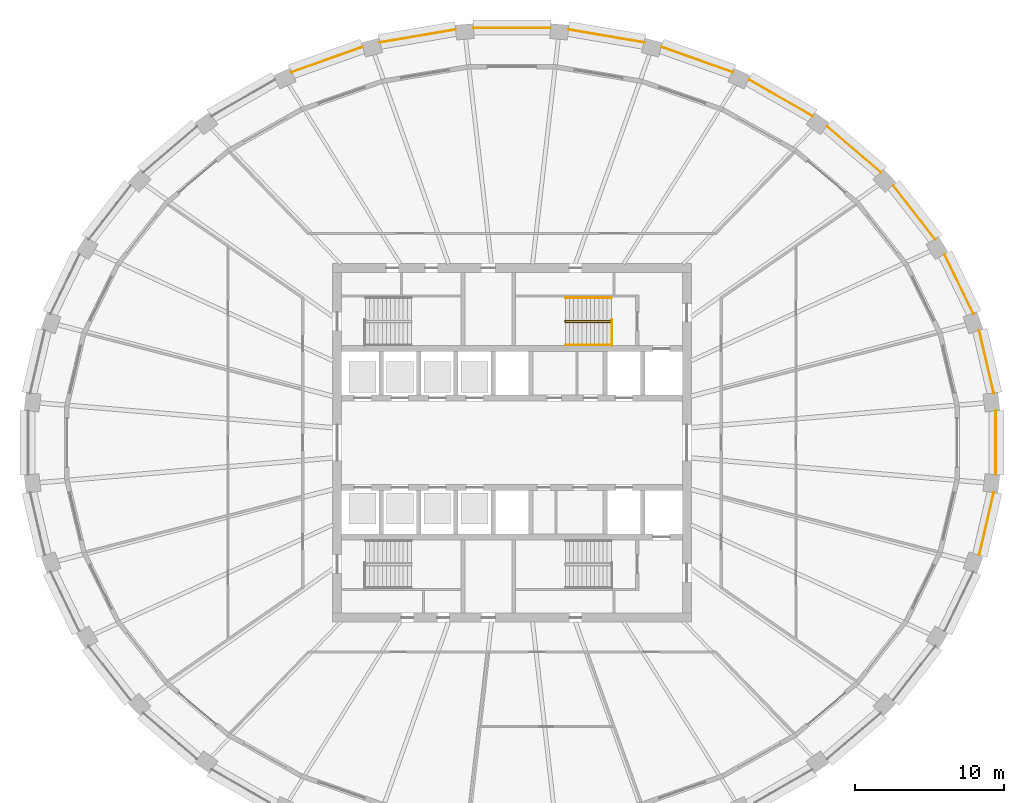
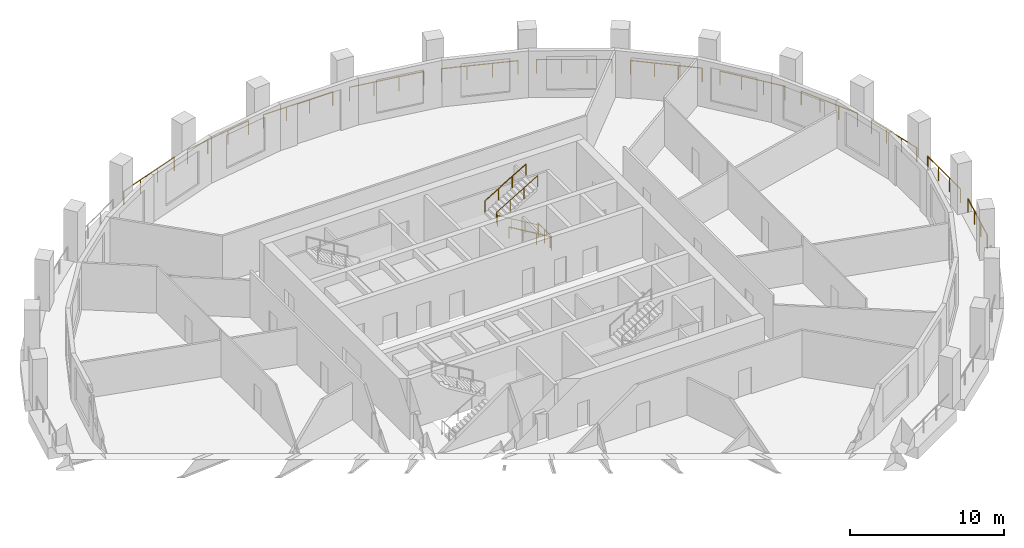
# One storey, part 9 of 10: 16 railings.
"""IFC4 building model written with IfcOpenShell, lengths in metres."""

from ifc_helpers import new_model, si_unit, direction, frame, origin, origin_2d, place, context, subcontext, project, spatial, circle, extrude, material, type_object, element, save


model = new_model("IFC4")

# Units and contexts
model_context = context("Model", 3, precision=1e-05, world=origin(), true_north=direction((0.0, 1.0)))
body_context = subcontext(model_context, "Body", "Model", "MODEL_VIEW")
ifc_project = project(units=[si_unit("LENGTHUNIT", "METRE"), si_unit("AREAUNIT", "SQUARE_METRE"), si_unit("VOLUMEUNIT", "CUBIC_METRE"), si_unit("PLANEANGLEUNIT", "RADIAN"), si_unit("MASSUNIT", "GRAM", prefix="KILO")], contexts=[model_context])

# Site, building, storey
site_placement = place(None, origin())
site = spatial("IfcSite", under=ifc_project, at=site_placement, CompositionType="ELEMENT")
building_placement = place(site_placement, origin())
building = spatial("IfcBuilding", under=site, at=building_placement, Name="Halqa Exchange Tower", CompositionType="ELEMENT")
storey_placement = place(building_placement, frame((0.0, 0.0, 198.89990234375)))
storey = spatial("IfcBuildingStorey", under=building, at=storey_placement, Name="L45", CompositionType="ELEMENT", Elevation=198.89990234375)

# Railings
ifc_material = material(Name="Stainless steel", Category="steel")
railing_type_1 = type_object("IfcRailingType", Name="Guard 1100 stainless steel", PredefinedType="GUARDRAIL", material=ifc_material)
railing_1_placement = place(storey_placement, frame((32.239501953125, 3.317626953125, 0.0)))
element("IfcRailing", 1, at=railing_1_placement, inside=storey, type_object=railing_type_1, Name="Loggia guard 1", PredefinedType="GUARDRAIL", context=body_context, shape_type="SweptSolid", body=[
    extrude(circle(Radius=0.02392578125, at=origin_2d()), frame((0.0, 0.0, 1.076171875), z_axis=(-0.226056656747, 0.974114155497, 0.0), x_axis=(-0.974114155497, -0.226056656747, 0.0)), (0.0, 0.0, 1.0), 4.3037109375),
    extrude(circle(Radius=0.02099609375, at=origin_2d()), origin(), (0.0, 0.0, 1.0), 1.052001953125),
    extrude(circle(Radius=0.02099609375, at=origin_2d()), frame((-0.32421875, 1.3974609375, 0.0)), (0.0, 0.0, 1.0), 1.052001953125),
    extrude(circle(Radius=0.02099609375, at=origin_2d()), frame((-0.648681640625, 2.794921875, 0.0)), (0.0, 0.0, 1.0), 1.052001953125),
    extrude(circle(Radius=0.02099609375, at=origin_2d()), frame((-0.972900390625, 4.1923828125, 0.0)), (0.0, 0.0, 1.0), 1.052001953125),
])
railing_2_placement = place(storey_placement, frame((30.8701171875, 8.634521484375, 0.0)))
element("IfcRailing", 2, at=railing_2_placement, inside=storey, type_object=railing_type_1, Name="Loggia guard 2", PredefinedType="GUARDRAIL", context=body_context, shape_type="SweptSolid", body=[
    extrude(circle(Radius=0.02392578125, at=origin_2d()), frame((0.0, 0.0, 1.076171875), z_axis=(-0.43510207999, 0.900381130404, 0.0), x_axis=(-0.900381130404, -0.43510207999, 0.0)), (0.0, 0.0, 1.0), 4.4091796875),
    extrude(circle(Radius=0.02099609375, at=origin_2d()), origin(), (0.0, 0.0, 1.0), 1.052001953125),
    extrude(circle(Radius=0.02099609375, at=origin_2d()), frame((-0.639404296875, 1.3232421875, 0.0)), (0.0, 0.0, 1.0), 1.052001953125),
    extrude(circle(Radius=0.02099609375, at=origin_2d()), frame((-1.279052734375, 2.646728515625, 0.0)), (0.0, 0.0, 1.0), 1.052001953125),
    extrude(circle(Radius=0.02099609375, at=origin_2d()), frame((-1.91845703125, 3.969970703125, 0.0)), (0.0, 0.0, 1.0), 1.052001953125),
])
railing_3_placement = place(storey_placement, frame((28.321533203125, 13.617919921875, 0.0)))
element("IfcRailing", 3, at=railing_3_placement, inside=storey, type_object=railing_type_1, Name="Loggia guard 3", PredefinedType="GUARDRAIL", context=body_context, shape_type="SweptSolid", body=[
    extrude(circle(Radius=0.02392578125, at=origin_2d()), frame((0.0, 0.0, 1.076171875), z_axis=(-0.614792247558, 0.78868909739, 0.0), x_axis=(-0.78868909739, -0.614792247558, 0.0)), (0.0, 0.0, 1.0), 4.562744140625),
    extrude(circle(Radius=0.02099609375, at=origin_2d()), origin(), (0.0, 0.0, 1.0), 1.052001953125),
    extrude(circle(Radius=0.02099609375, at=origin_2d()), frame((-0.93505859375, 1.199462890625, 0.0)), (0.0, 0.0, 1.0), 1.052001953125),
    extrude(circle(Radius=0.02099609375, at=origin_2d()), frame((-1.8701171875, 2.399169921875, 0.0)), (0.0, 0.0, 1.0), 1.052001953125),
    extrude(circle(Radius=0.02099609375, at=origin_2d()), frame((-2.80517578125, 3.5986328125, 0.0)), (0.0, 0.0, 1.0), 1.052001953125),
])
railing_4_placement = place(storey_placement, frame((24.69189453125, 18.080078125, 0.0)))
element("IfcRailing", 4, at=railing_4_placement, inside=storey, type_object=railing_type_1, Name="Loggia guard 4", PredefinedType="GUARDRAIL", context=body_context, shape_type="SweptSolid", body=[
    extrude(circle(Radius=0.02392578125, at=origin_2d()), frame((0.0, 0.0, 1.076171875), z_axis=(-0.759242057483, 0.650808342102, 0.0), x_axis=(-0.650808342102, -0.759242057483, 0.0)), (0.0, 0.0, 1.0), 4.739501953125),
    extrude(circle(Radius=0.02099609375, at=origin_2d()), origin(), (0.0, 0.0, 1.0), 1.052001953125),
    extrude(circle(Radius=0.02099609375, at=origin_2d()), frame((-1.199462890625, 1.028076171875, 0.0)), (0.0, 0.0, 1.0), 1.052001953125),
    extrude(circle(Radius=0.02099609375, at=origin_2d()), frame((-2.39892578125, 2.056396484375, 0.0)), (0.0, 0.0, 1.0), 1.052001953125),
    extrude(circle(Radius=0.02099609375, at=origin_2d()), frame((-3.598388671875, 3.08447265625, 0.0)), (0.0, 0.0, 1.0), 1.052001953125),
])
railing_5_placement = place(storey_placement, frame((20.1171875, 21.853271484375, 0.0)))
element("IfcRailing", 5, at=railing_5_placement, inside=storey, type_object=railing_type_1, Name="Loggia guard 5", PredefinedType="GUARDRAIL", context=body_context, shape_type="SweptSolid", body=[
    extrude(circle(Radius=0.02392578125, at=origin_2d()), frame((0.0, 0.0, 1.076171875), z_axis=(-0.867753174329, 0.496995400825, 0.0), x_axis=(-0.496995400825, -0.867753174329, 0.0)), (0.0, 0.0, 1.0), 4.910400390625),
    extrude(circle(Radius=0.02099609375, at=origin_2d()), origin(), (0.0, 0.0, 1.0), 1.052001953125),
    extrude(circle(Radius=0.02099609375, at=origin_2d()), frame((-1.42041015625, 0.8134765625, 0.0)), (0.0, 0.0, 1.0), 1.052001953125),
    extrude(circle(Radius=0.02099609375, at=origin_2d()), frame((-2.840576171875, 1.626953125, 0.0)), (0.0, 0.0, 1.0), 1.052001953125),
    extrude(circle(Radius=0.02099609375, at=origin_2d()), frame((-4.260986328125, 2.4404296875, 0.0)), (0.0, 0.0, 1.0), 1.052001953125),
])
railing_6_placement = place(storey_placement, frame((14.77001953125, 24.792724609375, 0.0)))
element("IfcRailing", 6, at=railing_6_placement, inside=storey, type_object=railing_type_1, Name="Loggia guard 6", PredefinedType="GUARDRAIL", context=body_context, shape_type="SweptSolid", body=[
    extrude(circle(Radius=0.02392578125, at=origin_2d()), frame((0.0, 0.0, 1.076171875), z_axis=(-0.942362387643, 0.334593978362, 0.0), x_axis=(-0.334593978362, -0.942362387643, 0.0)), (0.0, 0.0, 1.0), 5.05224609375),
    extrude(circle(Radius=0.02099609375, at=origin_2d()), origin(), (0.0, 0.0, 1.0), 1.052001953125),
    extrude(circle(Radius=0.02099609375, at=origin_2d()), frame((-1.5869140625, 0.5634765625, 0.0)), (0.0, 0.0, 1.0), 1.052001953125),
    extrude(circle(Radius=0.02099609375, at=origin_2d()), frame((-3.174072265625, 1.126953125, 0.0)), (0.0, 0.0, 1.0), 1.052001953125),
    extrude(circle(Radius=0.02099609375, at=origin_2d()), frame((-4.760986328125, 1.6904296875, 0.0)), (0.0, 0.0, 1.0), 1.052001953125),
])
railing_7_placement = place(storey_placement, frame((8.85205078125, 26.78466796875, 0.0)))
element("IfcRailing", 7, at=railing_7_placement, inside=storey, type_object=railing_type_1, Name="Loggia guard 7", PredefinedType="GUARDRAIL", context=body_context, shape_type="SweptSolid", body=[
    extrude(circle(Radius=0.02392578125, at=origin_2d()), frame((0.0, 0.0, 1.076171875), z_axis=(-0.985774033556, 0.168076038647, 0.0), x_axis=(-0.168076038647, -0.985774033556, 0.0)), (0.0, 0.0, 1.0), 5.14501953125),
    extrude(circle(Radius=0.02099609375, at=origin_2d()), origin(), (0.0, 0.0, 1.0), 1.052001953125),
    extrude(circle(Radius=0.02099609375, at=origin_2d()), frame((-1.690673828125, 0.288330078125, 0.0)), (0.0, 0.0, 1.0), 1.052001953125),
    extrude(circle(Radius=0.02099609375, at=origin_2d()), frame((-3.381103515625, 0.576416015625, 0.0)), (0.0, 0.0, 1.0), 1.052001953125),
    extrude(circle(Radius=0.02099609375, at=origin_2d()), frame((-5.07177734375, 0.86474609375, 0.0)), (0.0, 0.0, 1.0), 1.052001953125),
])
railing_8_placement = place(storey_placement, frame((2.588623046875, 27.750244140625, 0.0)))
element("IfcRailing", 8, at=railing_8_placement, inside=storey, type_object=railing_type_1, Name="Loggia guard 8", PredefinedType="GUARDRAIL", context=body_context, shape_type="SweptSolid", body=[
    extrude(circle(Radius=0.02392578125, at=origin_2d()), frame((0.0, 0.0, 1.076171875), z_axis=(-1.0, 0.0, 0.0), x_axis=(0.0, -1.0, 0.0)), (0.0, 0.0, 1.0), 5.17724609375),
    extrude(circle(Radius=0.02099609375, at=origin_2d()), origin(), (0.0, 0.0, 1.0), 1.052001953125),
    extrude(circle(Radius=0.02099609375, at=origin_2d()), frame((-1.725830078125, 0.0, 0.0)), (0.0, 0.0, 1.0), 1.052001953125),
    extrude(circle(Radius=0.02099609375, at=origin_2d()), frame((-3.451416015625, 0.0, 0.0)), (0.0, 0.0, 1.0), 1.052001953125),
    extrude(circle(Radius=0.02099609375, at=origin_2d()), frame((-5.17724609375, 0.0, 0.0)), (0.0, 0.0, 1.0), 1.052001953125),
])
railing_9_placement = place(storey_placement, frame((-3.7802734375, 27.6494140625, 0.0)))
element("IfcRailing", 9, at=railing_9_placement, inside=storey, type_object=railing_type_1, Name="Loggia guard 9", PredefinedType="GUARDRAIL", context=body_context, shape_type="SweptSolid", body=[
    extrude(circle(Radius=0.02392578125, at=origin_2d()), frame((0.0, 0.0, 1.076171875), z_axis=(-0.985774033556, -0.168076038647, 0.0), x_axis=(0.168076038647, -0.985774033556, 0.0)), (0.0, 0.0, 1.0), 5.14501953125),
    extrude(circle(Radius=0.02099609375, at=origin_2d()), origin(), (0.0, 0.0, 1.0), 1.052001953125),
    extrude(circle(Radius=0.02099609375, at=origin_2d()), frame((-1.690673828125, -0.288330078125, 0.0)), (0.0, 0.0, 1.0), 1.052001953125),
    extrude(circle(Radius=0.02099609375, at=origin_2d()), frame((-3.381103515625, -0.576416015625, 0.0)), (0.0, 0.0, 1.0), 1.052001953125),
    extrude(circle(Radius=0.02099609375, at=origin_2d()), frame((-5.07177734375, -0.86474609375, 0.0)), (0.0, 0.0, 1.0), 1.052001953125),
])
railing_10_placement = place(storey_placement, frame((-10.009033203125, 26.483154296875, 0.0)))
element("IfcRailing", 10, at=railing_10_placement, inside=storey, type_object=railing_type_1, Name="Loggia guard 10", PredefinedType="GUARDRAIL", context=body_context, shape_type="SweptSolid", body=[
    extrude(circle(Radius=0.02392578125, at=origin_2d()), frame((0.0, 0.0, 1.076171875), z_axis=(-0.942362387643, -0.334593978362, 0.0), x_axis=(0.334593978362, -0.942362387643, 0.0)), (0.0, 0.0, 1.0), 5.05224609375),
    extrude(circle(Radius=0.02099609375, at=origin_2d()), origin(), (0.0, 0.0, 1.0), 1.052001953125),
    extrude(circle(Radius=0.02099609375, at=origin_2d()), frame((-1.5869140625, -0.5634765625, 0.0)), (0.0, 0.0, 1.0), 1.052001953125),
    extrude(circle(Radius=0.02099609375, at=origin_2d()), frame((-3.174072265625, -1.126953125, 0.0)), (0.0, 0.0, 1.0), 1.052001953125),
    extrude(circle(Radius=0.02099609375, at=origin_2d()), frame((-4.760986328125, -1.6904296875, 0.0)), (0.0, 0.0, 1.0), 1.052001953125),
])
railing_11_placement = place(storey_placement, frame((31.2666015625, -7.510009765625, 0.0)))
element("IfcRailing", 11, at=railing_11_placement, inside=storey, type_object=railing_type_1, Name="Loggia guard 31", PredefinedType="GUARDRAIL", context=body_context, shape_type="SweptSolid", body=[
    extrude(circle(Radius=0.02392578125, at=origin_2d()), frame((0.0, 0.0, 1.076171875), z_axis=(0.226056656747, 0.974114155497, 0.0), x_axis=(-0.974114155497, 0.226056656747, 0.0)), (0.0, 0.0, 1.0), 4.3037109375),
    extrude(circle(Radius=0.02099609375, at=origin_2d()), origin(), (0.0, 0.0, 1.0), 1.052001953125),
    extrude(circle(Radius=0.02099609375, at=origin_2d()), frame((0.32421875, 1.3974609375, 0.0)), (0.0, 0.0, 1.0), 1.052001953125),
    extrude(circle(Radius=0.02099609375, at=origin_2d()), frame((0.648681640625, 2.794921875, 0.0)), (0.0, 0.0, 1.0), 1.052001953125),
    extrude(circle(Radius=0.02099609375, at=origin_2d()), frame((0.972900390625, 4.1923828125, 0.0)), (0.0, 0.0, 1.0), 1.052001953125),
])
railing_12_placement = place(storey_placement, frame((32.375244140625, -2.13330078125, 0.0)))
element("IfcRailing", 12, at=railing_12_placement, inside=storey, type_object=railing_type_1, Name="Loggia guard 32", PredefinedType="GUARDRAIL", context=body_context, shape_type="SweptSolid", body=[
    extrude(circle(Radius=0.02392578125, at=origin_2d()), frame((0.0, 0.0, 1.076171875), z_axis=(0.0, 1.0, 0.0), x_axis=(-1.0, 0.0, 0.0)), (0.0, 0.0, 1.0), 4.2666015625),
    extrude(circle(Radius=0.02099609375, at=origin_2d()), origin(), (0.0, 0.0, 1.0), 1.052001953125),
    extrude(circle(Radius=0.02099609375, at=origin_2d()), frame((0.0, 1.422119140625, 0.0)), (0.0, 0.0, 1.0), 1.052001953125),
    extrude(circle(Radius=0.02099609375, at=origin_2d()), frame((0.0, 2.844482421875, 0.0)), (0.0, 0.0, 1.0), 1.052001953125),
    extrude(circle(Radius=0.02099609375, at=origin_2d()), frame((0.0, 4.2666015625, 0.0)), (0.0, 0.0, 1.0), 1.052001953125),
])
railing_type_2 = type_object("IfcRailingType", Name="Stair handrail 900", PredefinedType="HANDRAIL", material=ifc_material)
railing_13_placement = place(storey_placement, frame((6.64990234375, 8.06005859375, 0.166748046875)))
element("IfcRailing", 13, at=railing_13_placement, inside=storey, type_object=railing_type_2, Name="Handrail ST2.1", PredefinedType="HANDRAIL", context=body_context, shape_type="SweptSolid", body=[
    extrude(circle(Radius=0.02392578125, at=origin_2d()), frame((0.0, 0.0, 0.8759765625), z_axis=(-0.859290745958, 0.0, 0.51148745235), x_axis=(0.0, -1.0, 0.0)), (0.0, 0.0, 1.0), 3.584228515625),
    extrude(circle(Radius=0.02392578125, at=origin_2d()), frame((-3.079833984375, 0.0, 2.708984375), z_axis=(0.0, 0.614500226555, 0.788916644243), x_axis=(-1.0, 0.0, 0.0)), (0.0, 0.0, 1.0), 0.21142578125),
    extrude(circle(Radius=0.02392578125, at=origin_2d()), frame((-3.079833984375, 0.1298828125, 2.8759765625), z_axis=(0.859290745958, 0.0, 0.51148745235), x_axis=(0.0, 1.0, 0.0)), (0.0, 0.0, 1.0), 3.584228515625),
    extrude(circle(Radius=0.02099609375, at=origin_2d()), origin(), (0.0, 0.0, 1.0), 0.851806640625),
    extrude(circle(Radius=0.02099609375, at=origin_2d()), frame((-1.026611328125, 0.0, 0.611083984375)), (0.0, 0.0, 1.0), 0.851806640625),
    extrude(circle(Radius=0.02099609375, at=origin_2d()), frame((-2.05322265625, 0.0, 1.22216796875)), (0.0, 0.0, 1.0), 0.851806640625),
    extrude(circle(Radius=0.02099609375, at=origin_2d()), frame((-3.079833984375, 0.0, 1.833251953125)), (0.0, 0.0, 1.0), 0.851806640625),
    extrude(circle(Radius=0.02099609375, at=origin_2d()), frame((-3.079833984375, 0.1298828125, 2.0)), (0.0, 0.0, 1.0), 0.851806640625),
    extrude(circle(Radius=0.02099609375, at=origin_2d()), frame((-2.05322265625, 0.1298828125, 2.611083984375)), (0.0, 0.0, 1.0), 0.851806640625),
    extrude(circle(Radius=0.02099609375, at=origin_2d()), frame((-1.026611328125, 0.1298828125, 3.22216796875)), (0.0, 0.0, 1.0), 0.851806640625),
    extrude(circle(Radius=0.02099609375, at=origin_2d()), frame((0.0, 0.1298828125, 3.833251953125)), (0.0, 0.0, 1.0), 0.851806640625),
])
railing_14_placement = place(storey_placement, frame((6.64990234375, 6.550048828125, 0.166748046875)))
element("IfcRailing", 14, at=railing_14_placement, inside=storey, type_object=railing_type_2, Name="Handrail ST2.2", PredefinedType="HANDRAIL", context=body_context, shape_type="SweptSolid", body=[
    extrude(circle(Radius=0.02392578125, at=origin_2d()), frame((0.0, 0.0, 0.8759765625), z_axis=(-0.859290745958, 0.0, 0.51148745235), x_axis=(0.0, -1.0, 0.0)), (0.0, 0.0, 1.0), 3.584228515625),
    extrude(circle(Radius=0.02099609375, at=origin_2d()), origin(), (0.0, 0.0, 1.0), 0.851806640625),
    extrude(circle(Radius=0.02099609375, at=origin_2d()), frame((-1.026611328125, 0.0, 0.611083984375)), (0.0, 0.0, 1.0), 0.851806640625),
    extrude(circle(Radius=0.02099609375, at=origin_2d()), frame((-2.05322265625, 0.0, 1.22216796875)), (0.0, 0.0, 1.0), 0.851806640625),
    extrude(circle(Radius=0.02099609375, at=origin_2d()), frame((-3.079833984375, 0.0, 1.833251953125)), (0.0, 0.0, 1.0), 0.851806640625),
])
railing_15_placement = place(storey_placement, frame((3.570068359375, 9.699951171875, 2.166748046875)))
element("IfcRailing", 15, at=railing_15_placement, inside=storey, type_object=railing_type_2, Name="Handrail ST2.3", PredefinedType="HANDRAIL", context=body_context, shape_type="SweptSolid", body=[
    extrude(circle(Radius=0.02392578125, at=origin_2d()), frame((0.0, 0.0, 0.8759765625), z_axis=(0.859290745958, 0.0, 0.51148745235), x_axis=(0.0, 1.0, 0.0)), (0.0, 0.0, 1.0), 3.584228515625),
    extrude(circle(Radius=0.02099609375, at=origin_2d()), origin(), (0.0, 0.0, 1.0), 0.851806640625),
    extrude(circle(Radius=0.02099609375, at=origin_2d()), frame((1.026611328125, 0.0, 0.611083984375)), (0.0, 0.0, 1.0), 0.851806640625),
    extrude(circle(Radius=0.02099609375, at=origin_2d()), frame((2.05322265625, 0.0, 1.22216796875)), (0.0, 0.0, 1.0), 0.851806640625),
    extrude(circle(Radius=0.02099609375, at=origin_2d()), frame((3.079833984375, 0.0, 1.833251953125)), (0.0, 0.0, 1.0), 0.851806640625),
])
railing_type_3 = type_object("IfcRailingType", Name="Stair well guard 1100", PredefinedType="GUARDRAIL", material=ifc_material)
railing_16_placement = place(storey_placement, frame((6.699951171875, 6.5, 0.0)))
element("IfcRailing", 16, at=railing_16_placement, inside=storey, type_object=railing_type_3, Name="Guard ST2 well", PredefinedType="GUARDRAIL", context=body_context, shape_type="SweptSolid", body=[
    extrude(circle(Radius=0.02392578125, at=origin_2d()), frame((0.0, 0.0, 1.076171875), z_axis=(0.0, 1.0, 0.0), x_axis=(-1.0, 0.0, 0.0)), (0.0, 0.0, 1.0), 1.75),
    extrude(circle(Radius=0.02099609375, at=origin_2d()), origin(), (0.0, 0.0, 1.0), 1.052001953125),
    extrude(circle(Radius=0.02099609375, at=origin_2d()), frame((0.0, 0.875, 0.0)), (0.0, 0.0, 1.0), 1.052001953125),
    extrude(circle(Radius=0.02099609375, at=origin_2d()), frame((0.0, 1.75, 0.0)), (0.0, 0.0, 1.0), 1.052001953125),
])

save(model, "model.ifc")
